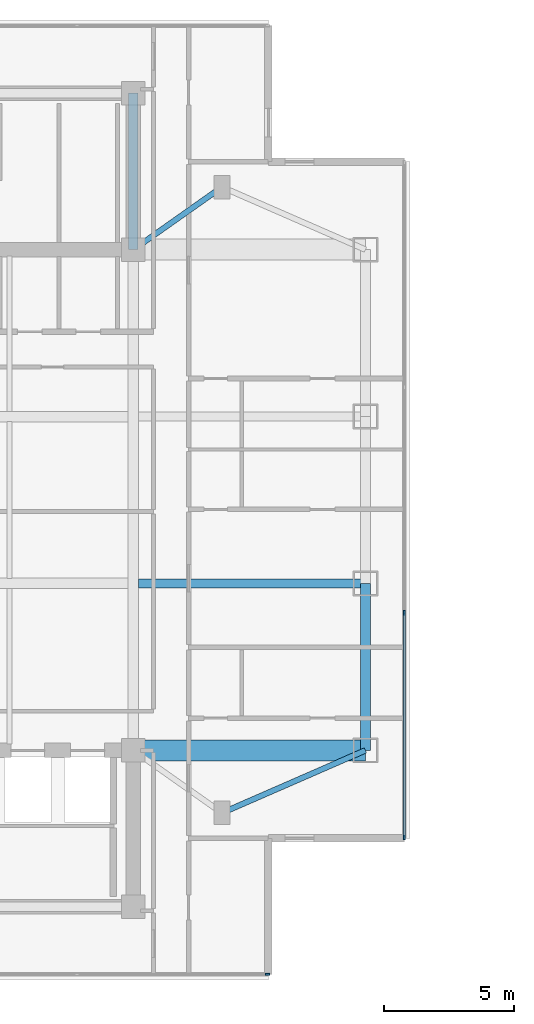
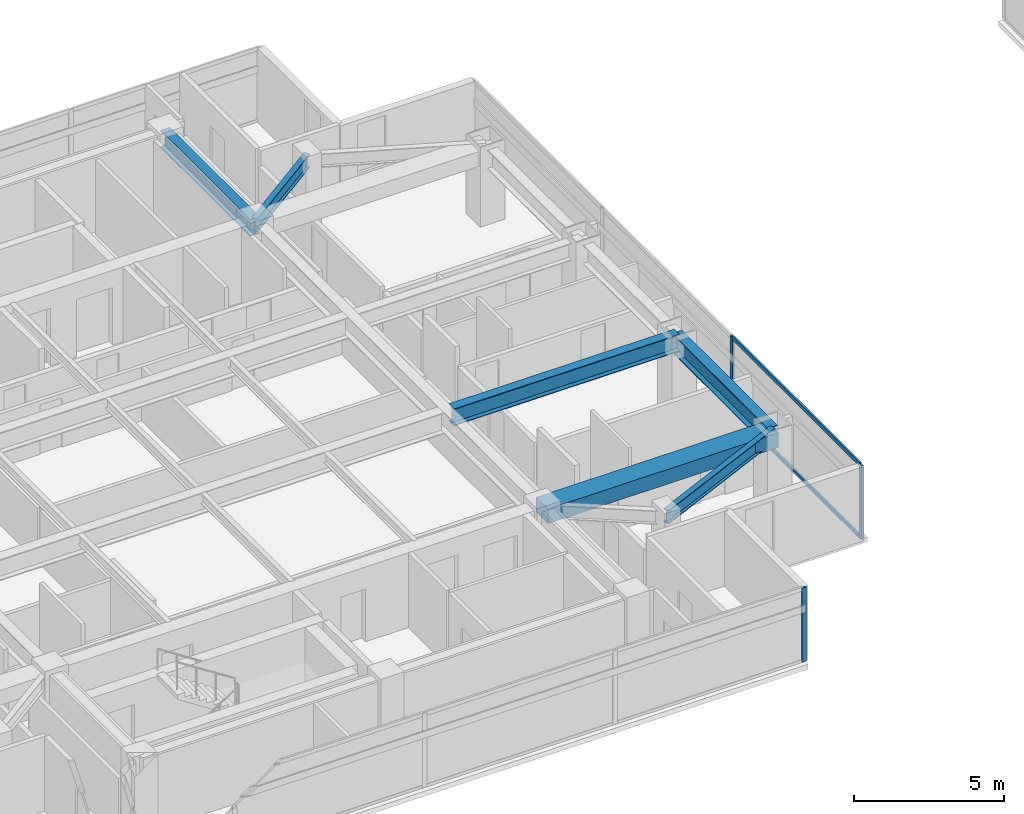
# One storey, part 4 of 24: 6 beams, 5 members, 2 elements without a shape of their own.
"""IFC4 building model written with IfcOpenShell, lengths in metres."""

from ifc_helpers import new_model, si_unit, direction, frame, origin, origin_2d, place, context, subcontext, project, spatial, rectangle, i_section, extrude, material, material_profile, profile_set, type_object, element, aggregate, save


model = new_model("IFC4")

# Units and contexts
model_context = context("Model", 3, precision=1e-05, world=origin(), true_north=direction((0.0, 1.0)))
body_context = subcontext(model_context, "Body", "Model", "MODEL_VIEW")
ifc_project = project(units=[si_unit("LENGTHUNIT", "METRE"), si_unit("AREAUNIT", "SQUARE_METRE"), si_unit("VOLUMEUNIT", "CUBIC_METRE"), si_unit("PLANEANGLEUNIT", "RADIAN"), si_unit("MASSUNIT", "GRAM", prefix="KILO")], contexts=[model_context])

# Site, building, storey
site_placement = place(None, origin())
site = spatial("IfcSite", under=ifc_project, at=site_placement, CompositionType="ELEMENT")
building_placement = place(site_placement, origin())
building = spatial("IfcBuilding", under=site, at=building_placement, Name="Mirazonda Arch Towers", CompositionType="ELEMENT")
storey_placement = place(building_placement, frame((0.0, 0.0, 190.14990234375)))
storey = spatial("IfcBuildingStorey", under=building, at=storey_placement, Name="L54", CompositionType="ELEMENT", Elevation=190.14990234375)

# Beams
ifc_material_1 = material(Name="Steel ASTM A992 Grade 50", Category="steel")
ifc_material_profile_1 = material_profile(ifc_material_1, i_section(OverallWidth=0.381103515625, OverallDepth=0.77294921875, WebThickness=0.0166015625, FlangeThickness=0.027099609375, at=origin_2d()), Name="W30X173")
ifc_profile_set_1 = profile_set([ifc_material_profile_1], Name="Steel ASTM A992 Grade 50")
beam_type_1 = type_object("IfcBeamType", Name="BM-EXT-W30X173", PredefinedType="USERDEFINED", material=ifc_profile_set_1)
beam_1_placement = place(storey_placement, frame((38.89990234375, 18.39990234375, 2.66357421875), z_axis=(0.0, 1.0, 0.0), x_axis=(-1.0, 0.0, 0.0)))
element("IfcBeam", 1, at=beam_1_placement, inside=storey, type_object=beam_type_1, Name="L54 Floor Beam BM-T1-L54-NS-E-18", ObjectType="GIRDER", PredefinedType="USERDEFINED", context=body_context, shape_type="SweptSolid", body=[
    extrude(i_section(OverallWidth=0.381103515625, OverallDepth=0.77294921875, WebThickness=0.0166015625, FlangeThickness=0.027099609375, at=origin_2d()), origin(), (0.0, 0.0, 1.0), 6.400146484375),
])
ifc_material_profile_2 = material_profile(ifc_material_1, i_section(OverallWidth=0.214111328125, OverallDepth=0.549072265625, WebThickness=0.0146484375, FlangeThickness=0.023681640625, at=origin_2d()), Name="W21X93")
ifc_profile_set_2 = profile_set([ifc_material_profile_2], Name="Steel ASTM A992 Grade 50")
beam_type_2 = type_object("IfcBeamType", Name="BM-INT-W21X93", PredefinedType="BEAM", material=ifc_profile_set_2)
beam_2_placement = place(storey_placement, frame((33.39990234375, 16.0, 2.775634765625), z_axis=(0.916545343703, 0.399930785183, 0.0), x_axis=(-0.399930785183, 0.916545343703, 0.0)))
element("IfcBeam", 2, at=beam_2_placement, inside=storey, type_object=beam_type_2, Name="L54 Floor Beam BM-T1-L54-PL-SE2", PredefinedType="BEAM", context=body_context, shape_type="SweptSolid", body=[
    extrude(i_section(OverallWidth=0.214111328125, OverallDepth=0.549072265625, WebThickness=0.0146484375, FlangeThickness=0.023681640625, at=origin_2d()), origin(), (0.0, 0.0, 1.0), 6.000732421875),
])
beam_3_placement = place(storey_placement, frame((33.39990234375, 40.0, 2.775634765625), z_axis=(-0.816971114901, -0.576678591087, 0.0), x_axis=(0.576678591087, -0.816971114901, 0.0)))
element("IfcBeam", 3, at=beam_3_placement, inside=storey, type_object=beam_type_2, Name="L54 Floor Beam BM-T1-L54-PL-NE1", PredefinedType="BEAM", context=body_context, shape_type="SweptSolid", body=[
    extrude(i_section(OverallWidth=0.214111328125, OverallDepth=0.549072265625, WebThickness=0.0146484375, FlangeThickness=0.023681640625, at=origin_2d()), origin(), (0.0, 0.0, 1.0), 4.16162109375),
])
ifc_material_profile_3 = material_profile(ifc_material_1, i_section(OverallWidth=0.35498046875, OverallDepth=0.696044921875, WebThickness=0.015380859375, FlangeThickness=0.02490234375, at=origin_2d()), Name="W27X146")
ifc_profile_set_3 = profile_set([ifc_material_profile_3], Name="Steel ASTM A992 Grade 50")
beam_type_3 = type_object("IfcBeamType", Name="BM-INT-W27X146", PredefinedType="BEAM", material=ifc_profile_set_3)
beam_4_placement = place(storey_placement, frame((30.199951171875, 24.800048828125, 2.7021484375), z_axis=(1.0, 0.0, 0.0), x_axis=(0.0, 1.0, 0.0)))
element("IfcBeam", 4, at=beam_4_placement, inside=storey, type_object=beam_type_3, Name="L54 Floor Beam BM-T1-L54-GE2", PredefinedType="BEAM", context=body_context, shape_type="SweptSolid", body=[
    extrude(i_section(OverallWidth=0.35498046875, OverallDepth=0.696044921875, WebThickness=0.015380859375, FlangeThickness=0.02490234375, at=origin_2d()), origin(), (0.0, 0.0, 1.0), 8.699951171875),
])
beam_5_placement = place(storey_placement, frame((30.0, 37.60009765625, 2.7021484375), z_axis=(0.0, 1.0, 0.0), x_axis=(-1.0, 0.0, 0.0)))
element("IfcBeam", 5, at=beam_5_placement, inside=storey, type_object=beam_type_3, Name="L54 Floor Beam BM-T1-L54-CNE", PredefinedType="BEAM", context=body_context, shape_type="SweptSolid", body=[
    extrude(i_section(OverallWidth=0.35498046875, OverallDepth=0.696044921875, WebThickness=0.015380859375, FlangeThickness=0.02490234375, at=origin_2d()), origin(), (0.0, 0.0, 1.0), 6.0),
])
ifc_material_2 = material(Name="Concrete C60/75", Category="concrete")
ifc_material_profile_4 = material_profile(ifc_material_2, rectangle(XDim=0.800048828125, YDim=0.60009765625, at=origin_2d()), Name="RCCB800x600")
ifc_profile_set_4 = profile_set([ifc_material_profile_4], Name="Concrete C60/75")
beam_type_4 = type_object("IfcBeamType", Name="CB-INT-RCCB800x600", PredefinedType="SPANDREL", material=ifc_profile_set_4)
beam_6_placement = place(storey_placement, frame((30.0, 18.39990234375, 2.75), z_axis=(1.0, 0.0, 0.0), x_axis=(0.0, 1.0, 0.0)))
element("IfcBeam", 6, at=beam_6_placement, inside=storey, type_object=beam_type_4, Name="L54 Floor Beam CBC-T1-L54-SE", PredefinedType="SPANDREL", context=body_context, shape_type="SweptSolid", body=[
    extrude(rectangle(XDim=0.800048828125, YDim=0.60009765625, at=origin_2d()), origin(), (0.0, 0.0, 1.0), 8.89990234375),
])

# Curtain wall, member
ifc_material_3 = material(Name="Anodised Aluminium and Low-E Glass", Category="aluminium")
curtain_wall_type = type_object("IfcCurtainWallType", Name="CW-RES-UNIT", PredefinedType="NOTDEFINED", material=ifc_material_3)
curtain_wall_1_placement = place(storey_placement, origin())
curtain_wall_1 = element("IfcCurtainWall", 7, at=curtain_wall_1_placement, inside=storey, type_object=curtain_wall_type, Name="L54 T1 S Facade CW-L54-T1-S", PredefinedType="NOTDEFINED")
ifc_material_4 = material(Name="Anodised Aluminium Alloy", Category="aluminium")
ifc_material_profile_5 = material_profile(ifc_material_4, rectangle(XDim=0.074951171875, YDim=0.175048828125, at=origin_2d()), Name="ALU-MULL-75x175")
ifc_profile_set_5 = profile_set([ifc_material_profile_5], Name="Anodised Aluminium Alloy")
member_type_1 = type_object("IfcMemberType", Name="MULL-CW-RES-UNIT", PredefinedType="MULLION", material=ifc_profile_set_5)
member_1_placement = place(storey_placement, frame((35.137451171875, 9.81396484375, 0.0), z_axis=(0.0, 0.0, 1.0), x_axis=(0.0, -1.0, 0.0)))
member_1 = element("IfcMember", 8, at=member_1_placement, type_object=member_type_1, Name="CW-104 mullion 1", PredefinedType="MULLION", context=body_context, shape_type="SweptSolid", body=[
    extrude(rectangle(XDim=0.074951171875, YDim=0.175048828125, at=origin_2d()), origin(), (0.0, 0.0, 1.0), 3.030029296875),
])
aggregate(curtain_wall_1, [member_1])

# Curtain wall, members
curtain_wall_2_placement = place(storey_placement, origin())
curtain_wall_2 = element("IfcCurtainWall", 9, at=curtain_wall_2_placement, inside=storey, type_object=curtain_wall_type, Name="L54 T1 E Facade CW-L54-T1-E", PredefinedType="NOTDEFINED")
member_2_placement = place(storey_placement, frame((40.389892578125, 15.06640625, 0.0), z_axis=(0.0, 0.0, 1.0), x_axis=(-1.0, 0.0, 0.0)))
member_2 = element("IfcMember", 10, at=member_2_placement, type_object=member_type_1, Name="CW-104 mullion 1", PredefinedType="MULLION", context=body_context, shape_type="SweptSolid", body=[
    extrude(rectangle(XDim=0.074951171875, YDim=0.175048828125, at=origin_2d()), origin(), (0.0, 0.0, 1.0), 3.030029296875),
])
member_3_placement = place(storey_placement, frame((40.389892578125, 23.67626953125, 0.0), z_axis=(0.0, 0.0, 1.0), x_axis=(-1.0, 0.0, 0.0)))
member_3 = element("IfcMember", 11, at=member_3_placement, type_object=member_type_1, Name="CW-104 mullion 2", PredefinedType="MULLION", context=body_context, shape_type="SweptSolid", body=[
    extrude(rectangle(XDim=0.074951171875, YDim=0.175048828125, at=origin_2d()), origin(), (0.0, 0.0, 1.0), 3.030029296875),
])
ifc_material_profile_6 = material_profile(ifc_material_4, rectangle(XDim=0.074951171875, YDim=0.155029296875, at=origin_2d()), Name="ALU-TRAN-75x155")
ifc_profile_set_6 = profile_set([ifc_material_profile_6], Name="Anodised Aluminium Alloy")
member_type_2 = type_object("IfcMemberType", Name="TRAN-CW-RES-UNIT", PredefinedType="USERDEFINED", material=ifc_profile_set_6)
member_4_placement = place(storey_placement, frame((40.389892578125, 15.10400390625, 0.03759765625), z_axis=(0.0, 1.0, 0.0), x_axis=(-1.0, 0.0, 0.0)))
member_4 = element("IfcMember", 12, at=member_4_placement, type_object=member_type_2, Name="CW-104 transom 1.1", ObjectType="TRANSOM", PredefinedType="USERDEFINED", context=body_context, shape_type="SweptSolid", body=[
    extrude(rectangle(XDim=0.074951171875, YDim=0.155029296875, at=origin_2d()), origin(), (0.0, 0.0, 1.0), 8.534912109375),
])
member_5_placement = place(storey_placement, frame((40.389892578125, 15.10400390625, 2.99267578125), z_axis=(0.0, 1.0, 0.0), x_axis=(-1.0, 0.0, 0.0)))
member_5 = element("IfcMember", 13, at=member_5_placement, type_object=member_type_2, Name="CW-104 transom 1.2", ObjectType="TRANSOM", PredefinedType="USERDEFINED", context=body_context, shape_type="SweptSolid", body=[
    extrude(rectangle(XDim=0.074951171875, YDim=0.155029296875, at=origin_2d()), origin(), (0.0, 0.0, 1.0), 8.534912109375),
])
aggregate(curtain_wall_2, [member_2, member_3, member_4, member_5])

save(model, "model.ifc")
